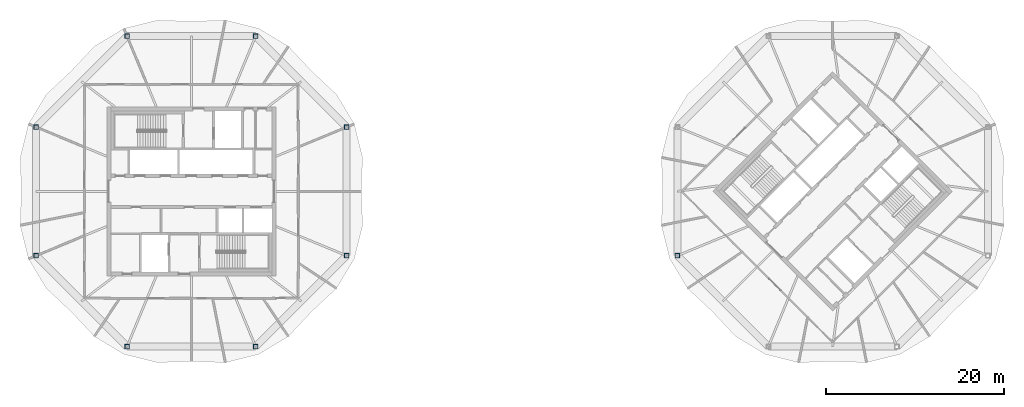
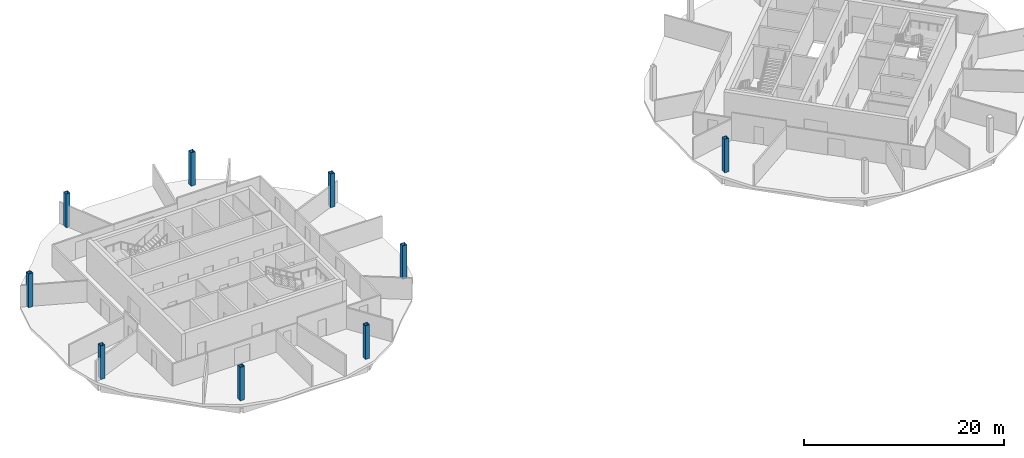
# One storey, part 1 of 10: 9 columns.
"""IFC4 building model written with IfcOpenShell, lengths in metres."""

from ifc_helpers import new_model, si_unit, direction, frame, origin, origin_2d, place, context, subcontext, project, spatial, hollow_rectangle, extrude, material, material_profile, profile_set, type_object, element, save


model = new_model("IFC4")

# Units and contexts
model_context = context("Model", 3, precision=1e-05, world=origin(), true_north=direction((0.0, 1.0)))
body_context = subcontext(model_context, "Body", "Model", "MODEL_VIEW")
ifc_project = project(units=[si_unit("LENGTHUNIT", "METRE"), si_unit("AREAUNIT", "SQUARE_METRE"), si_unit("VOLUMEUNIT", "CUBIC_METRE"), si_unit("PLANEANGLEUNIT", "RADIAN"), si_unit("MASSUNIT", "GRAM", prefix="KILO")], contexts=[model_context])

# Site, building, storey
site_placement = place(None, origin())
site = spatial("IfcSite", under=ifc_project, at=site_placement, CompositionType="ELEMENT")
building_placement = place(site_placement, origin())
building = spatial("IfcBuilding", under=site, at=building_placement, Name="Ogive Gate Towers", CompositionType="ELEMENT")
storey_placement = place(building_placement, frame((0.0, 0.0, 264.60009765625)))
storey = spatial("IfcBuildingStorey", under=building, at=storey_placement, Name="L62", CompositionType="ELEMENT", Elevation=264.60009765625)

# Columns
ifc_material = material(Name="Steel SM460", Category="steel")
ifc_material_profile = material_profile(ifc_material, hollow_rectangle(XDim=0.5, YDim=0.5, WallThickness=0.030029296875, at=origin_2d()), Name="BX 500x500x30")
ifc_profile_set = profile_set([ifc_material_profile], Name="Steel SM460")
column_type = type_object("IfcColumnType", Name="Perimeter post BX 500x500x30", PredefinedType="COLUMN", material=ifc_profile_set)
for number, where, z_axis, x_axis, name in (
    (1, (-18.57568359375, 7.217529296875, 0.0), (0.0, 0.0, 1.0), (1.0, 0.0, 0.0), "T1/L62/SCL001"),
    (2, (-28.782470703125, 17.42431640625, 0.0), (0.0, 0.0, 1.0), (1.0, 0.0, 0.0), "T1/L62/SCL002"),
    (3, (-43.217529296875, 17.42431640625, 0.0), (0.0, 0.0, 1.0), (1.0, 0.0, 0.0), "T1/L62/SCL003"),
    (4, (-53.42431640625, 7.217529296875, 0.0), (0.0, 0.0, 1.0), (1.0, 0.0, 0.0), "T1/L62/SCL004"),
    (5, (-53.42431640625, -7.217529296875, 0.0), (0.0, 0.0, 1.0), (1.0, 0.0, 0.0), "T1/L62/SCL005"),
    (6, (-43.217529296875, -17.42431640625, 0.0), (0.0, 0.0, 1.0), (1.0, 0.0, 0.0), "T1/L62/SCL006"),
    (7, (-28.782470703125, -17.42431640625, 0.0), (0.0, 0.0, 1.0), (1.0, 0.0, 0.0), "T1/L62/SCL007"),
    (8, (-18.57568359375, -7.217529296875, 0.0), (0.0, 0.0, 1.0), (1.0, 0.0, 0.0), "T1/L62/SCL008"),
    (9, (18.57568359375, -7.217529296875, 0.0), (0.0, 0.0, 1.0), (1.0, 0.0, 0.0), "T2/L62/SCL005"),
):
    element("IfcColumn", number, at=place(storey_placement, frame(where, z_axis=z_axis, x_axis=x_axis)), inside=storey, type_object=column_type, Name=name, PredefinedType="COLUMN", context=body_context, shape_type="SweptSolid", body=[
        extrude(hollow_rectangle(XDim=0.5, YDim=0.5, WallThickness=0.030029296875, at=origin_2d()), origin(), (0.0, 0.0, 1.0), 4.099853515625),
    ])

save(model, "model.ifc")
